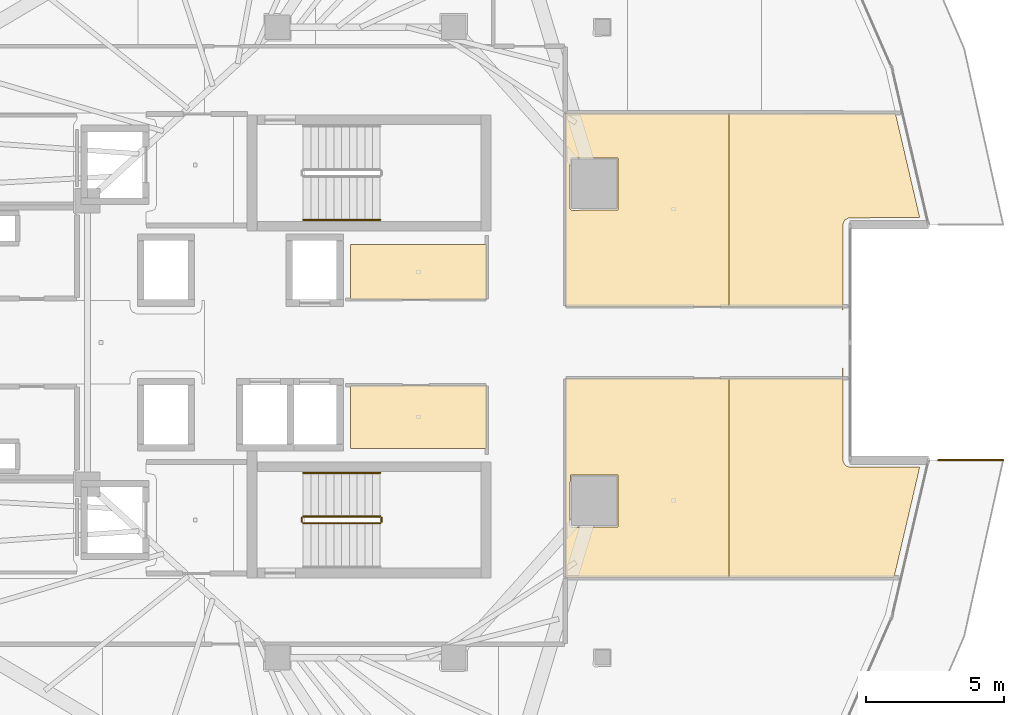
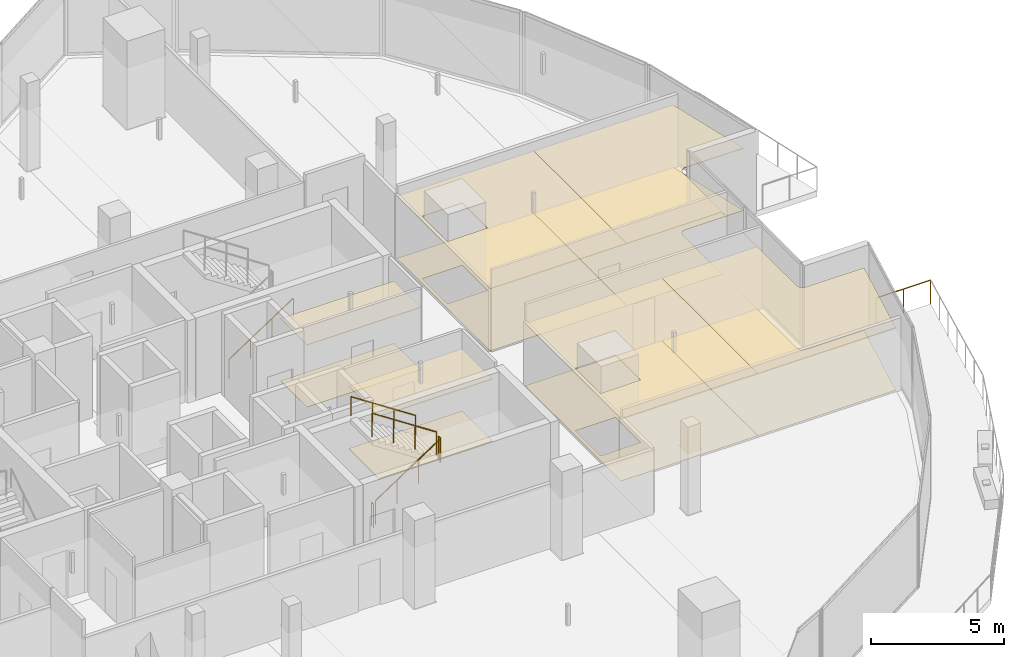
# One storey, part 28 of 30: 12 coverings, 7 railings.
"""IFC4 building model written with IfcOpenShell, lengths in metres."""

from ifc_helpers import new_model, si_unit, direction, frame, origin, origin_2d, place, context, subcontext, project, spatial, polyline, circle, outline, extrude, material, layer, layer_set, type_object, element, save


model = new_model("IFC4")

# Units and contexts
model_context = context("Model", 3, precision=1e-05, world=origin(), true_north=direction((0.0, 1.0)))
body_context = subcontext(model_context, "Body", "Model", "MODEL_VIEW")
ifc_project = project(units=[si_unit("LENGTHUNIT", "METRE"), si_unit("AREAUNIT", "SQUARE_METRE"), si_unit("VOLUMEUNIT", "CUBIC_METRE"), si_unit("PLANEANGLEUNIT", "RADIAN"), si_unit("MASSUNIT", "GRAM", prefix="KILO")], contexts=[model_context])

# Site, building, storey
site_placement = place(None, origin())
site = spatial("IfcSite", under=ifc_project, at=site_placement, CompositionType="ELEMENT")
building_placement = place(site_placement, origin())
building = spatial("IfcBuilding", under=site, at=building_placement, Name="Qorvath Tower", CompositionType="ELEMENT")
storey_placement = place(building_placement, frame((0.0, 0.0, 217.199951171875)))
storey = spatial("IfcBuildingStorey", under=building, at=storey_placement, Name="L50", CompositionType="ELEMENT", Elevation=217.199951171875)

# Coverings
ifc_material_1 = material(Name="Acoustic mineral fibre ceiling tile", Category="gypsum")
ifc_layer_1 = layer(ifc_material_1, 0.030029296875)
ifc_layer_set_1 = layer_set([ifc_layer_1], Name="COV-CEIL")
covering_type_1 = type_object("IfcCoveringType", Name="COV-CEIL", PredefinedType="CEILING", material=ifc_layer_set_1)
covering_1_placement = place(storey_placement, frame((0.0, 0.0, 2.85009765625)))
element("IfcCovering", 1, at=covering_1_placement, inside=storey, type_object=covering_type_1, Name="L50 Suspended Acoustic Ceiling 003", PredefinedType="CEILING", context=body_context, shape_type="SweptSolid", body=[
    extrude(outline(polyline([(-16.0048828125, 3.56005859375), (-20.93994140625, 3.56005859375), (-20.93994140625, 1.56494140625), (-16.0048828125, 1.56494140625), (-16.0048828125, 3.56005859375)])), origin(), (0.0, 0.0, 1.0), 0.030029296875),
])
covering_2_placement = place(storey_placement, frame((0.0, 0.0, 2.85009765625)))
element("IfcCovering", 2, at=covering_2_placement, inside=storey, type_object=covering_type_1, Name="L50 Suspended Acoustic Ceiling 004", PredefinedType="CEILING", context=body_context, shape_type="SweptSolid", body=[
    extrude(outline(polyline([(-20.93994140625, -1.56494140625), (-20.93994140625, -3.85009765625), (-16.0048828125, -3.85009765625), (-16.0048828125, -1.56494140625), (-20.93994140625, -1.56494140625)])), origin(), (0.0, 0.0, 1.0), 0.030029296875),
])
covering_3_placement = place(storey_placement, frame((0.0, 0.0, 2.85009765625)))
element("IfcCovering", 3, at=covering_3_placement, inside=storey, type_object=covering_type_1, Name="L50 Suspended Acoustic Ceiling 022", PredefinedType="CEILING", context=body_context, shape_type="SweptSolid", body=[
    extrude(outline(polyline([(-7.194580078125, -8.537109375), (-7.194580078125, -1.31298828125), (-13.136962890625, -1.31298828125), (-13.136962890625, -8.537109375), (-7.194580078125, -8.537109375)]), holes=[polyline([(-12.981689453125, -6.657958984375), (-12.964111328125, -4.8154296875), (-11.2294921875, -4.8154296875), (-11.2294921875, -6.700439453125), (-12.921875, -6.718017578125), (-12.981689453125, -6.657958984375)])]), origin(), (0.0, 0.0, 1.0), 0.030029296875),
])
covering_4_placement = place(storey_placement, frame((0.0, 0.0, 2.85009765625)))
element("IfcCovering", 4, at=covering_4_placement, inside=storey, type_object=covering_type_1, Name="L50 Suspended Acoustic Ceiling 023", PredefinedType="CEILING", context=body_context, shape_type="SweptSolid", body=[
    extrude(outline(polyline([(-2.964599609375, -4.47265625), (-3.052001953125, -4.32568359375), (-3.055908203125, -0.13330078125), (-3.07373046875, -1.31298828125), (-7.194580078125, -1.31298828125), (-7.194580078125, -8.537109375), (-1.204833984375, -8.537109375), (-0.271728515625, -4.53173828125), (-2.826171875, -4.530517578125), (-2.964599609375, -4.47265625)])), origin(), (0.0, 0.0, 1.0), 0.030029296875),
])
covering_5_placement = place(storey_placement, frame((0.0, 0.0, 2.85009765625)))
element("IfcCovering", 5, at=covering_5_placement, inside=storey, type_object=covering_type_1, Name="L50 Suspended Acoustic Ceiling 024", PredefinedType="CEILING", context=body_context, shape_type="SweptSolid", body=[
    extrude(outline(polyline([(-7.19970703125, 1.31298828125), (-7.19970703125, 8.328369140625), (-13.136962890625, 8.3369140625), (-13.136962890625, 1.31298828125), (-7.19970703125, 1.31298828125)]), holes=[polyline([(-12.981689453125, 4.85791015625), (-12.964111328125, 6.700439453125), (-11.2294921875, 6.700439453125), (-11.2294921875, 4.8154296875), (-12.921875, 4.7978515625), (-12.981689453125, 4.85791015625)])]), origin(), (0.0, 0.0, 1.0), 0.030029296875),
])
covering_6_placement = place(storey_placement, frame((0.0, 0.0, 2.85009765625)))
element("IfcCovering", 6, at=covering_6_placement, inside=storey, type_object=covering_type_1, Name="L50 Suspended Acoustic Ceiling 025", PredefinedType="CEILING", context=body_context, shape_type="SweptSolid", body=[
    extrude(outline(polyline([(-2.99755859375, 4.439697265625), (-2.8505859375, 4.527099609375), (-0.271728515625, 4.53173828125), (-1.154296875, 8.319580078125), (-7.19970703125, 8.328369140625), (-7.19970703125, 1.31298828125), (-3.07373046875, 1.31298828125), (-3.063720703125, 1.09521484375), (-3.055419921875, 4.30126953125), (-2.99755859375, 4.439697265625)])), origin(), (0.0, 0.0, 1.0), 0.030029296875),
])
ifc_material_2 = material(Name="Low-VOC modular carpet tile", Category="textile")
ifc_layer_2 = layer(ifc_material_2, 0.014892578125)
ifc_layer_set_2 = layer_set([ifc_layer_2], Name="COV-FLOOR-CPT")
covering_type_2 = type_object("IfcCoveringType", Name="COV-FLOOR-CPT", PredefinedType="FLOORING", material=ifc_layer_set_2)
covering_7_placement = place(storey_placement, origin())
element("IfcCovering", 7, at=covering_7_placement, inside=storey, type_object=covering_type_2, Name="L50 Floor Finish 003", PredefinedType="FLOORING", context=body_context, shape_type="SweptSolid", body=[
    extrude(outline(polyline([(-16.0048828125, 3.56005859375), (-20.93994140625, 3.56005859375), (-20.93994140625, 1.56494140625), (-16.0048828125, 1.56494140625), (-16.0048828125, 3.56005859375)])), origin(), (0.0, 0.0, 1.0), 0.01513671875),
])
covering_8_placement = place(storey_placement, origin())
element("IfcCovering", 8, at=covering_8_placement, inside=storey, type_object=covering_type_2, Name="L50 Floor Finish 004", PredefinedType="FLOORING", context=body_context, shape_type="SweptSolid", body=[
    extrude(outline(polyline([(-20.93994140625, -1.56494140625), (-20.93994140625, -3.85009765625), (-16.0048828125, -3.85009765625), (-16.0048828125, -1.56494140625), (-20.93994140625, -1.56494140625)])), origin(), (0.0, 0.0, 1.0), 0.01513671875),
])
covering_9_placement = place(storey_placement, origin())
element("IfcCovering", 9, at=covering_9_placement, inside=storey, type_object=covering_type_2, Name="L50 Floor Finish 022", PredefinedType="FLOORING", context=body_context, shape_type="SweptSolid", body=[
    extrude(outline(polyline([(-7.194580078125, -8.537109375), (-7.194580078125, -1.31298828125), (-13.136962890625, -1.31298828125), (-13.136962890625, -8.537109375), (-7.194580078125, -8.537109375)]), holes=[polyline([(-12.981689453125, -6.657958984375), (-12.964111328125, -4.8154296875), (-11.2294921875, -4.8154296875), (-11.2294921875, -6.700439453125), (-12.921875, -6.718017578125), (-12.981689453125, -6.657958984375)])]), origin(), (0.0, 0.0, 1.0), 0.01513671875),
])
covering_10_placement = place(storey_placement, origin())
element("IfcCovering", 10, at=covering_10_placement, inside=storey, type_object=covering_type_2, Name="L50 Floor Finish 023", PredefinedType="FLOORING", context=body_context, shape_type="SweptSolid", body=[
    extrude(outline(polyline([(-2.964599609375, -4.47265625), (-3.052001953125, -4.32568359375), (-3.055908203125, -0.13330078125), (-3.07373046875, -1.31298828125), (-7.194580078125, -1.31298828125), (-7.194580078125, -8.537109375), (-1.204833984375, -8.537109375), (-0.271728515625, -4.53173828125), (-2.826171875, -4.530517578125), (-2.964599609375, -4.47265625)])), origin(), (0.0, 0.0, 1.0), 0.01513671875),
])
covering_11_placement = place(storey_placement, origin())
element("IfcCovering", 11, at=covering_11_placement, inside=storey, type_object=covering_type_2, Name="L50 Floor Finish 024", PredefinedType="FLOORING", context=body_context, shape_type="SweptSolid", body=[
    extrude(outline(polyline([(-7.19970703125, 1.31298828125), (-7.19970703125, 8.328369140625), (-13.136962890625, 8.3369140625), (-13.136962890625, 1.31298828125), (-7.19970703125, 1.31298828125)]), holes=[polyline([(-12.981689453125, 4.85791015625), (-12.964111328125, 6.700439453125), (-11.2294921875, 6.700439453125), (-11.2294921875, 4.8154296875), (-12.921875, 4.7978515625), (-12.981689453125, 4.85791015625)])]), origin(), (0.0, 0.0, 1.0), 0.01513671875),
])
covering_12_placement = place(storey_placement, origin())
element("IfcCovering", 12, at=covering_12_placement, inside=storey, type_object=covering_type_2, Name="L50 Floor Finish 025", PredefinedType="FLOORING", context=body_context, shape_type="SweptSolid", body=[
    extrude(outline(polyline([(-2.99755859375, 4.439697265625), (-2.8505859375, 4.527099609375), (-0.271728515625, 4.53173828125), (-1.154296875, 8.319580078125), (-7.19970703125, 8.328369140625), (-7.19970703125, 1.31298828125), (-3.07373046875, 1.31298828125), (-3.063720703125, 1.09521484375), (-3.055419921875, 4.30126953125), (-2.99755859375, 4.439697265625)])), origin(), (0.0, 0.0, 1.0), 0.01513671875),
])

# Railings
ifc_material_3 = material(Name="Laminated safety glass and stainless steel AISI 316", Category="steel")
railing_type_1 = type_object("IfcRailingType", Name="RL-EXT-GRD", PredefinedType="GUARDRAIL", material=ifc_material_3)
railing_1_placement = place(storey_placement, frame((0.399169921875, -4.27685546875, 0.0)))
element("IfcRailing", 13, at=railing_1_placement, inside=storey, type_object=railing_type_1, Name="Loggia Perimeter Guardrail L50-1.2", PredefinedType="GUARDRAIL", context=body_context, shape_type="SweptSolid", body=[
    extrude(circle(Radius=0.02392578125, at=origin_2d()), frame((0.0, 0.0, 1.09619140625), z_axis=(1.0, 0.0, 0.0), x_axis=(0.0, 1.0, 0.0)), (0.0, 0.0, 1.0), 2.366943359375),
    extrude(circle(Radius=0.02099609375, at=origin_2d()), origin(), (0.0, 0.0, 1.0), 1.072021484375),
    extrude(circle(Radius=0.02099609375, at=origin_2d()), frame((1.18359375, 0.0, 0.0)), (0.0, 0.0, 1.0), 1.072021484375),
    extrude(circle(Radius=0.02099609375, at=origin_2d()), frame((2.366943359375, 0.0, 0.0)), (0.0, 0.0, 1.0), 1.072021484375),
])
ifc_material_4 = material(Name="Painted galvanised steel", Category="steel")
railing_type_2 = type_object("IfcRailingType", Name="RL-STR-GRD", PredefinedType="GUARDRAIL", material=ifc_material_4)
railing_2_placement = place(storey_placement, frame((-22.669921875, -6.570068359375, 0.18408203125)))
element("IfcRailing", 14, at=railing_2_placement, inside=storey, type_object=railing_type_2, Name="L50 TS2 stair guard 1", PredefinedType="GUARDRAIL", context=body_context, shape_type="SweptSolid", body=[
    extrude(circle(Radius=0.02392578125, at=origin_2d()), frame((0.0, 0.0, 1.076171875), z_axis=(0.835542071712, 0.0, 0.549426470421), x_axis=(0.0, 1.0, 0.0)), (0.0, 0.0, 1.0), 3.350830078125),
    extrude(circle(Radius=0.02099609375, at=origin_2d()), origin(), (0.0, 0.0, 1.0), 1.052001953125),
    extrude(circle(Radius=0.02099609375, at=origin_2d()), frame((0.933349609375, 0.0, 0.61376953125)), (0.0, 0.0, 1.0), 1.052001953125),
    extrude(circle(Radius=0.02099609375, at=origin_2d()), frame((1.866455078125, 0.0, 1.227294921875)), (0.0, 0.0, 1.0), 1.052001953125),
    extrude(circle(Radius=0.02099609375, at=origin_2d()), frame((2.7998046875, 0.0, 1.841064453125)), (0.0, 0.0, 1.0), 1.052001953125),
])
railing_3_placement = place(storey_placement, frame((-19.820068359375, -6.52001953125, 2.025146484375)))
element("IfcRailing", 15, at=railing_3_placement, inside=storey, type_object=railing_type_2, Name="L50 TS2 stair guard 2", PredefinedType="GUARDRAIL", context=body_context, shape_type="SweptSolid", body=[
    extrude(circle(Radius=0.02392578125, at=origin_2d()), frame((0.0, 0.0, 1.076171875), z_axis=(0.0, 1.0, 0.0), x_axis=(-1.0, 0.0, 0.0)), (0.0, 0.0, 1.0), 0.14990234375),
    extrude(circle(Radius=0.02099609375, at=origin_2d()), origin(), (0.0, 0.0, 1.0), 1.052001953125),
    extrude(circle(Radius=0.02099609375, at=origin_2d()), frame((0.0, 0.14990234375, 0.0)), (0.0, 0.0, 1.0), 1.052001953125),
])
railing_4_placement = place(storey_placement, frame((-19.8701171875, -6.320068359375, 2.209228515625)))
element("IfcRailing", 16, at=railing_4_placement, inside=storey, type_object=railing_type_2, Name="L50 TS2 stair guard 3", PredefinedType="GUARDRAIL", context=body_context, shape_type="SweptSolid", body=[
    extrude(circle(Radius=0.02392578125, at=origin_2d()), frame((0.0, 0.0, 1.076171875), z_axis=(-0.835575518608, 0.0, 0.549375602573), x_axis=(0.0, -1.0, 0.0)), (0.0, 0.0, 1.0), 3.350830078125),
    extrude(circle(Radius=0.02099609375, at=origin_2d()), origin(), (0.0, 0.0, 1.0), 1.052001953125),
    extrude(circle(Radius=0.02099609375, at=origin_2d()), frame((-0.933349609375, 0.0, 0.613525390625)), (0.0, 0.0, 1.0), 1.052001953125),
    extrude(circle(Radius=0.02099609375, at=origin_2d()), frame((-1.866455078125, 0.0, 1.227294921875)), (0.0, 0.0, 1.0), 1.052001953125),
    extrude(circle(Radius=0.02099609375, at=origin_2d()), frame((-2.7998046875, 0.0, 1.8408203125)), (0.0, 0.0, 1.0), 1.052001953125),
])
railing_5_placement = place(storey_placement, frame((-22.719970703125, -6.52001953125, 0.0)))
element("IfcRailing", 17, at=railing_5_placement, inside=storey, type_object=railing_type_2, Name="L50 TS2 stair guard 4", PredefinedType="GUARDRAIL", context=body_context, shape_type="SweptSolid", body=[
    extrude(circle(Radius=0.02392578125, at=origin_2d()), frame((0.0, 0.0, 1.076171875), z_axis=(0.0, 1.0, 0.0), x_axis=(-1.0, 0.0, 0.0)), (0.0, 0.0, 1.0), 0.14990234375),
    extrude(circle(Radius=0.02099609375, at=origin_2d()), origin(), (0.0, 0.0, 1.0), 1.052001953125),
    extrude(circle(Radius=0.02099609375, at=origin_2d()), frame((0.0, 0.14990234375, 0.0)), (0.0, 0.0, 1.0), 1.052001953125),
])
ifc_material_5 = material(Name="Brushed stainless steel AISI 304", Category="steel")
railing_type_3 = type_object("IfcRailingType", Name="RL-STR-HND", PredefinedType="HANDRAIL", material=ifc_material_5)
railing_6_placement = place(storey_placement, frame((-22.669921875, 4.449951171875, 0.18408203125)))
element("IfcRailing", 18, at=railing_6_placement, inside=storey, type_object=railing_type_3, Name="L50 TS1 stair handrail 1", PredefinedType="HANDRAIL", context=body_context, shape_type="SweptSolid", body=[
    extrude(circle(Radius=0.02392578125, at=origin_2d()), frame((0.0, 0.0, 0.8759765625), z_axis=(0.835542071712, 0.0, 0.549426470421), x_axis=(0.0, 1.0, 0.0)), (0.0, 0.0, 1.0), 3.350830078125),
    extrude(circle(Radius=0.02099609375, at=origin_2d()), origin(), (0.0, 0.0, 1.0), 0.851806640625),
    extrude(circle(Radius=0.02099609375, at=origin_2d()), frame((0.933349609375, 0.0, 0.61376953125)), (0.0, 0.0, 1.0), 0.851806640625),
    extrude(circle(Radius=0.02099609375, at=origin_2d()), frame((1.866455078125, 0.0, 1.227294921875)), (0.0, 0.0, 1.0), 0.851806640625),
    extrude(circle(Radius=0.02099609375, at=origin_2d()), frame((2.7998046875, 0.0, 1.841064453125)), (0.0, 0.0, 1.0), 0.851806640625),
])
railing_7_placement = place(storey_placement, frame((-19.8701171875, -4.739990234375, 2.209228515625)))
element("IfcRailing", 19, at=railing_7_placement, inside=storey, type_object=railing_type_3, Name="L50 TS2 stair handrail 2", PredefinedType="HANDRAIL", context=body_context, shape_type="SweptSolid", body=[
    extrude(circle(Radius=0.02392578125, at=origin_2d()), frame((0.0, 0.0, 0.8759765625), z_axis=(-0.835575518608, 0.0, 0.549375602573), x_axis=(0.0, -1.0, 0.0)), (0.0, 0.0, 1.0), 3.350830078125),
    extrude(circle(Radius=0.02099609375, at=origin_2d()), origin(), (0.0, 0.0, 1.0), 0.851806640625),
    extrude(circle(Radius=0.02099609375, at=origin_2d()), frame((-0.933349609375, 0.0, 0.613525390625)), (0.0, 0.0, 1.0), 0.851806640625),
    extrude(circle(Radius=0.02099609375, at=origin_2d()), frame((-1.866455078125, 0.0, 1.227294921875)), (0.0, 0.0, 1.0), 0.851806640625),
    extrude(circle(Radius=0.02099609375, at=origin_2d()), frame((-2.7998046875, 0.0, 1.8408203125)), (0.0, 0.0, 1.0), 0.851806640625),
])

save(model, "model.ifc")
